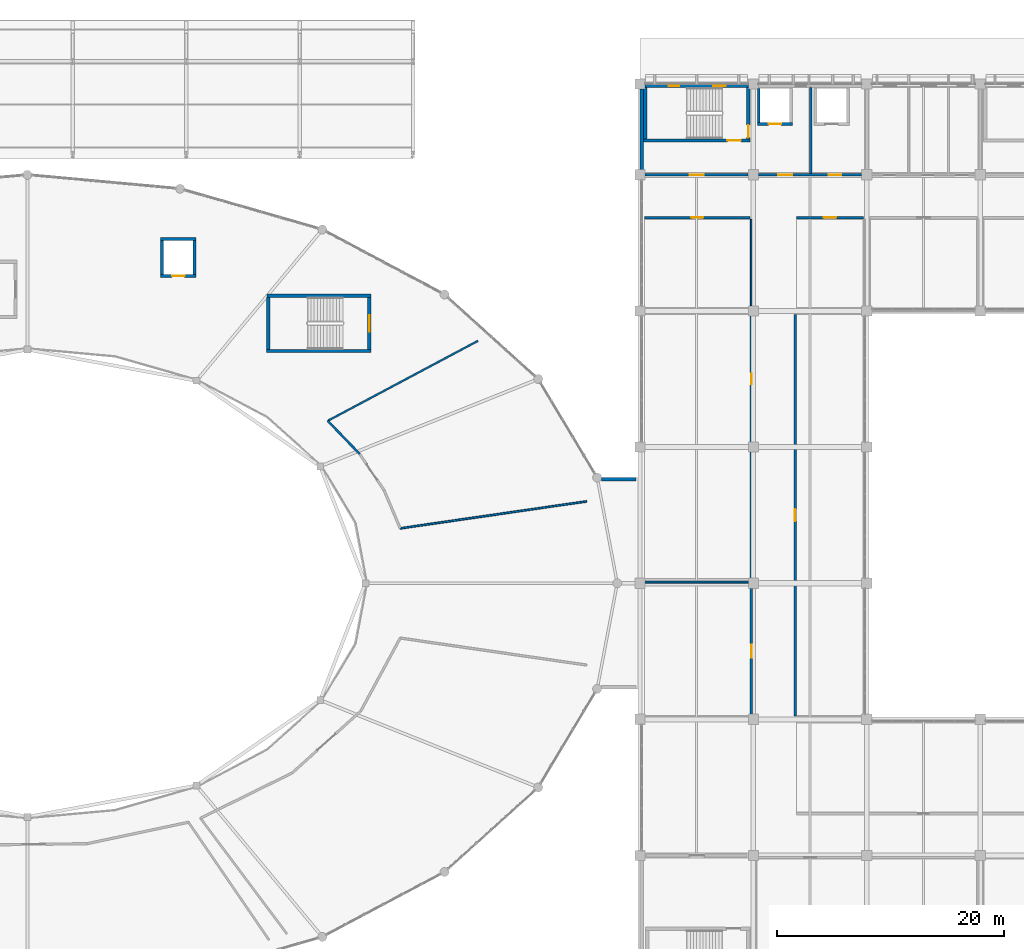
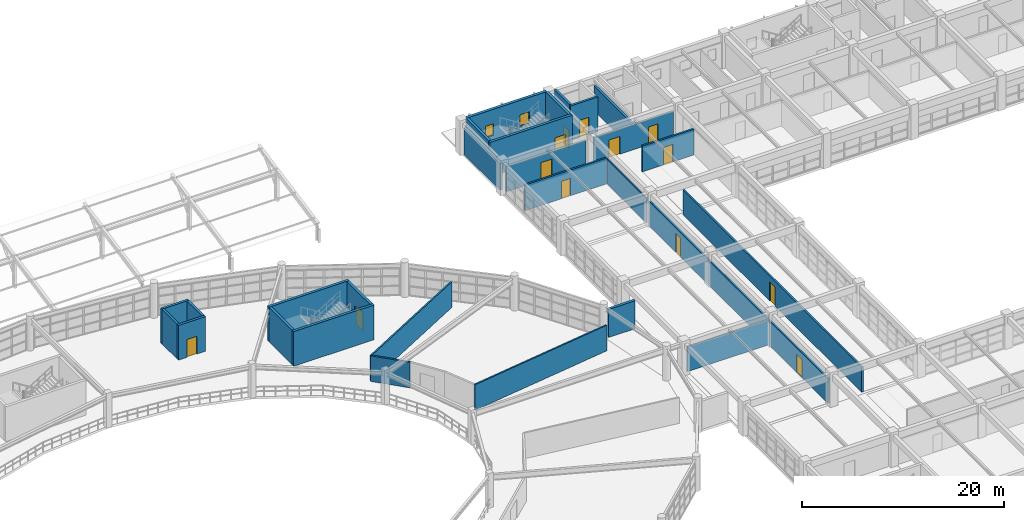
# One storey, part 79 of 100: 29 walls, 13 doors, 2 windows, 15 openings.
"""IFC4 building model written with IfcOpenShell, lengths in metres."""

from ifc_helpers import new_model, si_unit, direction, frame, frame_2d, origin, place, context, subcontext, project, spatial, rectangle, extrude, material, layer, layer_set, type_object, element, fill, save


model = new_model("IFC4")

# Units and contexts
model_context = context("Model", 3, precision=1e-05, world=origin(), true_north=direction((0.0, 1.0)))
body_context = subcontext(model_context, "Body", "Model", "MODEL_VIEW")
ifc_project = project(units=[si_unit("LENGTHUNIT", "METRE"), si_unit("AREAUNIT", "SQUARE_METRE"), si_unit("VOLUMEUNIT", "CUBIC_METRE"), si_unit("PLANEANGLEUNIT", "RADIAN"), si_unit("MASSUNIT", "GRAM", prefix="KILO")], contexts=[model_context])

# Site, building, storey
site_placement = place(None, origin())
site = spatial("IfcSite", under=ifc_project, at=site_placement, CompositionType="ELEMENT")
building_placement = place(site_placement, origin())
building = spatial("IfcBuilding", under=site, at=building_placement, Name="Kivolera Central Railway Station", CompositionType="ELEMENT")
storey_placement = place(building_placement, frame((0.0, 0.0, 5.39990234375)))
storey = spatial("IfcBuildingStorey", under=building, at=storey_placement, Name="L01", CompositionType="ELEMENT", Elevation=5.39990234375)

# Wall
ifc_material_1 = material(Name="Swahili coral limestone", Category="masonry")
ifc_layer_1 = layer(ifc_material_1, 0.199951171875, Name="Swahili coral limestone")
ifc_layer_set_1 = layer_set([ifc_layer_1], Name="Swahili coral limestone")
wall_type_1 = type_object("IfcWallType", Name="WL-COR-200", PredefinedType="PARTITIONING", material=ifc_layer_set_1)
wall_1_placement = place(storey_placement, frame((93.2919921875, 101.389892578125, 0.0), z_axis=(0.0, 0.0, 1.0), x_axis=(-0.693535335124, 0.720422611343, 0.0)))
element("IfcWall", 1, at=wall_1_placement, inside=storey, type_object=wall_type_1, Name="L01 Concourse Departure Book and Craft Retail Shop Gallery Wall 3", PredefinedType="PARTITIONING", context=body_context, shape_type="SweptSolid", body=[
    extrude(rectangle(XDim=4.058837890625, YDim=0.199951171875, at=frame_2d((2.029296875, 0.0))), origin(), (0.0, 0.0, 1.0), 3.10009765625),
])

# Wall, opening, door
wall_2_placement = place(storey_placement, frame((118.39990234375, 122.219970703125, 0.0), z_axis=(0.0, 0.0, 1.0), x_axis=(1.0, 0.0, 0.0)))
wall_2 = element("IfcWall", 2, at=wall_2_placement, inside=storey, type_object=wall_type_1, Name="L01 Mezzanine Travel Outfitters Retail Shop Corridor Wall", PredefinedType="PARTITIONING", context=body_context, shape_type="SweptSolid", body=[
    extrude(rectangle(XDim=9.300048828125, YDim=0.199951171875, at=frame_2d((4.64990234375, 0.0))), origin(), (0.0, 0.0, 1.0), 3.1181640625),
])
opening_1_placement = place(wall_2_placement, frame((4.125, 0.0, 0.0)))
opening_1 = element("IfcOpeningElement", 3, at=opening_1_placement, cuts=wall_2, Name="Opening D-SG-04", PredefinedType="OPENING", context=body_context, shape_type="SweptSolid", body=[
    extrude(rectangle(XDim=1.050048828125, YDim=2.10009765625, at=frame_2d((0.52490234375, 1.050048828125))), frame((0.0, 0.10986328125, 0.0), z_axis=(0.0, -1.0, 0.0), x_axis=(1.0, 0.0, 0.0)), (0.0, 0.0, 1.0), 0.219970703125),
])
ifc_material_2 = material(Name="Hardwood mvule timber", Category="wood")
door_type_1 = type_object("IfcDoorType", Name="DR-D-SG-04", OperationType="NOTDEFINED", PredefinedType="DOOR", material=ifc_material_2)
door_1_placement = place(opening_1_placement, origin())
door_1 = element("IfcDoor", 4, at=door_1_placement, inside=storey, type_object=door_type_1, Name="L01 Mezzanine Travel Outfitters Retail Shop Door", OperationType="SINGLE_SWING_LEFT", OverallHeight=2.10009765625, OverallWidth=1.050048828125, PredefinedType="DOOR", context=body_context, shape_type="SweptSolid", body=[
    extrude(rectangle(XDim=1.050048828125, YDim=2.10009765625, at=frame_2d((0.52490234375, 1.050048828125))), frame((0.0, 0.02490234375, 0.0), z_axis=(0.0, -1.0, 0.0), x_axis=(1.0, 0.0, 0.0)), (0.0, 0.0, 1.0), 0.050048828125),
])
fill(opening_1, door_1)

wall_3_placement = place(storey_placement, frame((131.800048828125, 122.219970703125, 0.0), z_axis=(0.0, 0.0, 1.0), x_axis=(1.0, 0.0, 0.0)))
wall_3 = element("IfcWall", 5, at=wall_3_placement, inside=storey, type_object=wall_type_1, Name="L01 Railway Souvenir Kiosk Shop Corridor Wall", PredefinedType="PARTITIONING", context=body_context, shape_type="SweptSolid", body=[
    extrude(rectangle(XDim=5.89990234375, YDim=0.199951171875, at=frame_2d((2.949951171875, 0.0))), origin(), (0.0, 0.0, 1.0), 3.1181640625),
])
opening_2_placement = place(wall_3_placement, frame((2.39990234375, 0.0, 0.0)))
opening_2 = element("IfcOpeningElement", 6, at=opening_2_placement, cuts=wall_3, Name="Opening D-SG-05", PredefinedType="OPENING", context=body_context, shape_type="SweptSolid", body=[
    extrude(rectangle(XDim=1.10009765625, YDim=2.10009765625, at=frame_2d((0.550048828125, 1.050048828125))), frame((0.0, 0.10986328125, 0.0), z_axis=(0.0, -1.0, 0.0), x_axis=(1.0, 0.0, 0.0)), (0.0, 0.0, 1.0), 0.219970703125),
])
door_type_2 = type_object("IfcDoorType", Name="DR-D-SG-05", OperationType="NOTDEFINED", PredefinedType="DOOR", material=ifc_material_2)
door_2_placement = place(opening_2_placement, origin())
door_2 = element("IfcDoor", 7, at=door_2_placement, inside=storey, type_object=door_type_2, Name="L01 Railway Souvenir Kiosk Shop Door", OperationType="SINGLE_SWING_RIGHT", OverallHeight=2.10009765625, OverallWidth=1.10009765625, PredefinedType="DOOR", context=body_context, shape_type="SweptSolid", body=[
    extrude(rectangle(XDim=1.10009765625, YDim=2.10009765625, at=frame_2d((0.550048828125, 1.050048828125))), frame((0.0, 0.02490234375, 0.0), z_axis=(0.0, -1.0, 0.0), x_axis=(1.0, 0.0, 0.0)), (0.0, 0.0, 1.0), 0.050048828125),
])
fill(opening_2, door_2)

wall_4_placement = place(storey_placement, frame((127.820068359375, 78.300048828125, 0.0), z_axis=(0.0, 0.0, 1.0), x_axis=(0.0, 1.0, 0.0)))
wall_4 = element("IfcWall", 8, at=wall_4_placement, inside=storey, type_object=wall_type_1, Name="L01 Revenue Accounting and Fare Audit Office Corridor Wall", PredefinedType="PARTITIONING", context=body_context, shape_type="SweptSolid", body=[
    extrude(rectangle(XDim=11.699951171875, YDim=0.199951171875, at=frame_2d((5.85009765625, 0.0))), origin(), (0.0, 0.0, 1.0), 3.01806640625),
])
opening_3_placement = place(wall_4_placement, frame((5.125, 0.0, 0.0)))
opening_3 = element("IfcOpeningElement", 9, at=opening_3_placement, cuts=wall_4, Name="Opening D-SG-12", PredefinedType="OPENING", context=body_context, shape_type="SweptSolid", body=[
    extrude(rectangle(XDim=1.14990234375, YDim=2.199951171875, at=frame_2d((0.574951171875, 1.10009765625))), frame((0.0, 0.10986328125, 0.0), z_axis=(0.0, -1.0, 0.0), x_axis=(1.0, 0.0, 0.0)), (0.0, 0.0, 1.0), 0.219970703125),
])
door_type_3 = type_object("IfcDoorType", Name="DR-D-SG-12", OperationType="NOTDEFINED", PredefinedType="DOOR", material=ifc_material_2)
door_3_placement = place(opening_3_placement, origin())
door_3 = element("IfcDoor", 10, at=door_3_placement, inside=storey, type_object=door_type_3, Name="L01 Revenue Accounting and Fare Audit Office Door", OperationType="SINGLE_SWING_LEFT", OverallHeight=2.199951171875, OverallWidth=1.14990234375, PredefinedType="DOOR", context=body_context, shape_type="SweptSolid", body=[
    extrude(rectangle(XDim=1.14990234375, YDim=2.199951171875, at=frame_2d((0.574951171875, 1.10009765625))), frame((0.0, 0.02490234375, 0.0), z_axis=(0.0, -1.0, 0.0), x_axis=(1.0, 0.0, 0.0)), (0.0, 0.0, 1.0), 0.050048828125),
])
fill(opening_3, door_3)

wall_5_placement = place(storey_placement, frame((127.820068359375, 90.39990234375, 0.0), z_axis=(0.0, 0.0, 1.0), x_axis=(0.0, 1.0, 0.0)))
wall_5 = element("IfcWall", 11, at=wall_5_placement, inside=storey, type_object=wall_type_1, Name="L01 Ticketing Systems Support Office Corridor Wall", PredefinedType="PARTITIONING", context=body_context, shape_type="SweptSolid", body=[
    extrude(rectangle(XDim=23.300048828125, YDim=0.199951171875, at=frame_2d((11.64990234375, 0.0))), origin(), (0.0, 0.0, 1.0), 3.01806640625),
])
opening_4_placement = place(wall_5_placement, frame((17.125, 0.0, 0.0)))
opening_4 = element("IfcOpeningElement", 12, at=opening_4_placement, cuts=wall_5, Name="Opening D-SG-13", PredefinedType="OPENING", context=body_context, shape_type="SweptSolid", body=[
    extrude(rectangle(XDim=0.949951171875, YDim=2.300048828125, at=frame_2d((0.47509765625, 1.14990234375))), frame((0.0, 0.10986328125, 0.0), z_axis=(0.0, -1.0, 0.0), x_axis=(1.0, 0.0, 0.0)), (0.0, 0.0, 1.0), 0.219970703125),
])
door_type_4 = type_object("IfcDoorType", Name="DR-D-SG-13", OperationType="NOTDEFINED", PredefinedType="DOOR", material=ifc_material_2)
door_4_placement = place(opening_4_placement, origin())
door_4 = element("IfcDoor", 13, at=door_4_placement, inside=storey, type_object=door_type_4, Name="L01 Ticketing Systems Support Office Door", OperationType="SINGLE_SWING_RIGHT", OverallHeight=2.300048828125, OverallWidth=0.949951171875, PredefinedType="DOOR", context=body_context, shape_type="SweptSolid", body=[
    extrude(rectangle(XDim=0.949951171875, YDim=2.300048828125, at=frame_2d((0.47509765625, 1.14990234375))), frame((0.0, 0.02490234375, 0.0), z_axis=(0.0, -1.0, 0.0), x_axis=(1.0, 0.0, 0.0)), (0.0, 0.0, 1.0), 0.050048828125),
])
fill(opening_4, door_4)

wall_6_placement = place(storey_placement, frame((131.679931640625, 78.300048828125, 0.0), z_axis=(0.0, 0.0, 1.0), x_axis=(0.0, 1.0, 0.0)))
wall_6 = element("IfcWall", 14, at=wall_6_placement, inside=storey, type_object=wall_type_1, Name="L01 Monsoon Overlook Tea Cafe Corridor Wall", PredefinedType="PARTITIONING", context=body_context, shape_type="SweptSolid", body=[
    extrude(rectangle(XDim=35.39990234375, YDim=0.199951171875, at=frame_2d((17.699951171875, 0.0))), origin(), (0.0, 0.0, 1.0), 3.01806640625),
])
opening_5_placement = place(wall_6_placement, frame((17.175048828125, 0.0, 0.0)))
opening_5 = element("IfcOpeningElement", 15, at=opening_5_placement, cuts=wall_6, Name="Opening D-SG-14", PredefinedType="OPENING", context=body_context, shape_type="SweptSolid", body=[
    extrude(rectangle(XDim=1.050048828125, YDim=2.300048828125, at=frame_2d((0.52490234375, 1.14990234375))), frame((0.0, 0.10986328125, 0.0), z_axis=(0.0, -1.0, 0.0), x_axis=(1.0, 0.0, 0.0)), (0.0, 0.0, 1.0), 0.219970703125),
])
door_type_5 = type_object("IfcDoorType", Name="DR-D-SG-14", OperationType="NOTDEFINED", PredefinedType="DOOR", material=ifc_material_2)
door_5_placement = place(opening_5_placement, origin())
door_5 = element("IfcDoor", 16, at=door_5_placement, inside=storey, type_object=door_type_5, Name="L01 Monsoon Overlook Tea Cafe Door", OperationType="SINGLE_SWING_LEFT", OverallHeight=2.300048828125, OverallWidth=1.050048828125, PredefinedType="DOOR", context=body_context, shape_type="SweptSolid", body=[
    extrude(rectangle(XDim=1.050048828125, YDim=2.300048828125, at=frame_2d((0.52490234375, 1.14990234375))), frame((0.0, 0.02490234375, 0.0), z_axis=(0.0, -1.0, 0.0), x_axis=(1.0, 0.0, 0.0)), (0.0, 0.0, 1.0), 0.050048828125),
])
fill(opening_5, door_5)

ifc_material_3 = material(Name="Concrete C40/50", Category="concrete")
ifc_layer_2 = layer(ifc_material_3, 0.300048828125, Name="Concrete C40/50")
ifc_layer_set_2 = layer_set([ifc_layer_2], Name="Concrete C40/50")
wall_type_2 = type_object("IfcWallType", Name="WL-CORE-300", PredefinedType="SHEAR", material=ifc_layer_set_2)
wall_7_placement = place(storey_placement, frame((127.699951171875, 129.030029296875, 0.0), z_axis=(0.0, 0.0, 1.0), x_axis=(-1.0, 0.0, 0.0)))
wall_7 = element("IfcWall", 17, at=wall_7_placement, inside=storey, type_object=wall_type_2, Name="L01 ST1 Core Right Shear Wall", PredefinedType="SHEAR", context=body_context, shape_type="SweptSolid", body=[
    extrude(rectangle(XDim=9.39990234375, YDim=0.300048828125, at=frame_2d((4.699951171875, 0.0))), origin(), (0.0, 0.0, 1.0), 4.2001953125),
])
opening_6_placement = place(wall_7_placement, frame((0.800048828125, 0.0, 0.0)))
opening_6 = element("IfcOpeningElement", 18, at=opening_6_placement, cuts=wall_7, Name="Opening D-STAIR-1200", PredefinedType="OPENING", context=body_context, shape_type="SweptSolid", body=[
    extrude(rectangle(XDim=1.199951171875, YDim=2.14990234375, at=frame_2d((0.60009765625, 1.074951171875))), frame((0.0, 0.159912109375, 0.0), z_axis=(0.0, -1.0, 0.0), x_axis=(1.0, 0.0, 0.0)), (0.0, 0.0, 1.0), 0.320068359375),
])
door_type_6 = type_object("IfcDoorType", Name="DR-D-STAIR-1200", OperationType="NOTDEFINED", PredefinedType="DOOR", material=ifc_material_2)
door_6_placement = place(opening_6_placement, origin())
door_6 = element("IfcDoor", 19, at=door_6_placement, inside=storey, type_object=door_type_6, Name="L01 ST1 Vestibule Fire Door", OperationType="SINGLE_SWING_LEFT", OverallHeight=2.14990234375, OverallWidth=1.199951171875, PredefinedType="DOOR", context=body_context, shape_type="SweptSolid", body=[
    extrude(rectangle(XDim=1.199951171875, YDim=2.14990234375, at=frame_2d((0.60009765625, 1.074951171875))), frame((0.0, 0.02490234375, 0.0), z_axis=(0.0, -1.0, 0.0), x_axis=(1.0, 0.0, 0.0)), (0.0, 0.0, 1.0), 0.050048828125),
])
fill(opening_6, door_6)

wall_8_placement = place(storey_placement, frame((127.550048828125, 133.679931640625, 0.0), z_axis=(0.0, 0.0, 1.0), x_axis=(0.0, -1.0, 0.0)))
wall_8 = element("IfcWall", 20, at=wall_8_placement, inside=storey, type_object=wall_type_2, Name="L01 ST1 Core Near Shear Wall", PredefinedType="SHEAR", context=body_context, shape_type="SweptSolid", body=[
    extrude(rectangle(XDim=4.5, YDim=0.300048828125, at=frame_2d((2.25, 0.0))), origin(), (0.0, 0.0, 1.0), 4.2001953125),
])
opening_7_placement = place(wall_8_placement, frame((3.300048828125, 0.0, 0.0)))
opening_7 = element("IfcOpeningElement", 21, at=opening_7_placement, cuts=wall_8, Name="Opening D-FFL-1100", PredefinedType="OPENING", context=body_context, shape_type="SweptSolid", body=[
    extrude(rectangle(XDim=1.10009765625, YDim=2.14990234375, at=frame_2d((0.550048828125, 1.074951171875))), frame((0.0, 0.159912109375, 0.0), z_axis=(0.0, -1.0, 0.0), x_axis=(1.0, 0.0, 0.0)), (0.0, 0.0, 1.0), 0.320068359375),
])
door_type_7 = type_object("IfcDoorType", Name="DR-D-FFL-1100", OperationType="NOTDEFINED", PredefinedType="DOOR", material=ifc_material_2)
door_7_placement = place(opening_7_placement, origin())
door_7 = element("IfcDoor", 22, at=door_7_placement, inside=storey, type_object=door_type_7, Name="L01 Firefighting Lobby to ST1 Fire Door", OperationType="SINGLE_SWING_RIGHT", OverallHeight=2.14990234375, OverallWidth=1.10009765625, PredefinedType="DOOR", context=body_context, shape_type="SweptSolid", body=[
    extrude(rectangle(XDim=1.10009765625, YDim=2.14990234375, at=frame_2d((0.550048828125, 1.074951171875))), frame((0.0, 0.02490234375, 0.0), z_axis=(0.0, -1.0, 0.0), x_axis=(1.0, 0.0, 0.0)), (0.0, 0.0, 1.0), 0.050048828125),
])
fill(opening_7, door_7)

# Walls
wall_9_placement = place(storey_placement, frame((118.449951171875, 129.179931640625, 0.0), z_axis=(0.0, 0.0, 1.0), x_axis=(0.0, 1.0, 0.0)))
element("IfcWall", 23, at=wall_9_placement, inside=storey, type_object=wall_type_2, Name="L01 ST1 Core Far Shear Wall", PredefinedType="SHEAR", context=body_context, shape_type="SweptSolid", body=[
    extrude(rectangle(XDim=4.5, YDim=0.300048828125, at=frame_2d((2.25, 0.0))), origin(), (0.0, 0.0, 1.0), 4.2001953125),
])
for number, where, z_axis, x_axis, name in (
    (24, (94.300048828125, 110.469970703125, 0.0), (0.0, 0.0, 1.0), (-1.0, 0.0, 0.0), "L01 ST7 Core Right Shear Wall"),
    (25, (85.10009765625, 115.35009765625, 0.0), (0.0, 0.0, 1.0), (1.0, 0.0, 0.0), "L01 ST7 Core Left Shear Wall"),
):
    element("IfcWall", number, at=place(storey_placement, frame(where, z_axis=z_axis, x_axis=x_axis)), inside=storey, type_object=wall_type_2, Name=name, PredefinedType="SHEAR", context=body_context, shape_type="SweptSolid", body=[
        extrude(rectangle(XDim=9.199951171875, YDim=0.300048828125, at=frame_2d((4.60009765625, 0.0))), origin(), (0.0, 0.0, 1.0), 4.2001953125),
    ])

# Wall, opening, door
wall_10_placement = place(storey_placement, frame((94.14990234375, 115.199951171875, 0.0), z_axis=(0.0, 0.0, 1.0), x_axis=(0.0, -1.0, 0.0)))
wall_10 = element("IfcWall", 26, at=wall_10_placement, inside=storey, type_object=wall_type_2, Name="L01 ST7 Core Near Shear Wall", PredefinedType="SHEAR", context=body_context, shape_type="SweptSolid", body=[
    extrude(rectangle(XDim=4.579833984375, YDim=0.300048828125, at=frame_2d((2.2900390625, 0.0))), origin(), (0.0, 0.0, 1.0), 4.2001953125),
])
opening_8_placement = place(wall_10_placement, frame((1.56494140625, 0.0, 0.0)))
opening_8 = element("IfcOpeningElement", 27, at=opening_8_placement, cuts=wall_10, Name="Opening D-STAIR-1450", PredefinedType="OPENING", context=body_context, shape_type="SweptSolid", body=[
    extrude(rectangle(XDim=1.449951171875, YDim=2.199951171875, at=frame_2d((0.72509765625, 1.10009765625))), frame((0.0, 0.159912109375, 0.0), z_axis=(0.0, -1.0, 0.0), x_axis=(1.0, 0.0, 0.0)), (0.0, 0.0, 1.0), 0.320068359375),
])
door_type_8 = type_object("IfcDoorType", Name="DR-D-STAIR-1450", OperationType="NOTDEFINED", PredefinedType="DOOR", material=ifc_material_2)
door_8_placement = place(opening_8_placement, origin())
door_8 = element("IfcDoor", 28, at=door_8_placement, inside=storey, type_object=door_type_8, Name="L01 ST7 Concourse/Platform Stair Fire Door", OperationType="SINGLE_SWING_RIGHT", OverallHeight=2.199951171875, OverallWidth=1.449951171875, PredefinedType="DOOR", context=body_context, shape_type="SweptSolid", body=[
    extrude(rectangle(XDim=1.449951171875, YDim=2.199951171875, at=frame_2d((0.72509765625, 1.10009765625))), frame((0.0, 0.02490234375, 0.0), z_axis=(0.0, -1.0, 0.0), x_axis=(1.0, 0.0, 0.0)), (0.0, 0.0, 1.0), 0.050048828125),
])
fill(opening_8, door_8)

# Wall
wall_11_placement = place(storey_placement, frame((85.25, 110.6201171875, 0.0), z_axis=(0.0, 0.0, 1.0), x_axis=(0.0, 1.0, 0.0)))
element("IfcWall", 29, at=wall_11_placement, inside=storey, type_object=wall_type_2, Name="L01 ST7 Core Far Shear Wall", PredefinedType="SHEAR", context=body_context, shape_type="SweptSolid", body=[
    extrude(rectangle(XDim=4.579833984375, YDim=0.300048828125, at=frame_2d((2.2900390625, 0.0))), origin(), (0.0, 0.0, 1.0), 4.2001953125),
])

# Wall, openings, windows
ifc_layer_3 = layer(ifc_material_3, 0.320068359375, Name="Concrete C40/50")
ifc_layer_set_3 = layer_set([ifc_layer_3], Name="Concrete C40/50")
wall_type_3 = type_object("IfcWallType", Name="WL-CORE-EXT-320", PredefinedType="SHEAR", material=ifc_layer_set_3)
wall_12_placement = place(storey_placement, frame((118.445068359375, 133.840087890625, 0.0), z_axis=(0.0, 0.0, 1.0), x_axis=(1.0, 0.0, 0.0)))
wall_12 = element("IfcWall", 30, at=wall_12_placement, inside=storey, type_object=wall_type_3, Name="L01 North Street Facade Wall Bay 1", PredefinedType="SHEAR", context=body_context, shape_type="SweptSolid", body=[
    extrude(rectangle(XDim=9.10986328125, YDim=0.320068359375, at=frame_2d((4.554931640625, 0.0))), origin(), (0.0, 0.0, 1.0), 4.2001953125),
])
opening_9_placement = place(wall_12_placement, frame((2.10498046875, 0.0, 1.050048828125)))
opening_9 = element("IfcOpeningElement", 31, at=opening_9_placement, cuts=wall_12, Name="Opening WN-13", PredefinedType="OPENING", context=body_context, shape_type="SweptSolid", body=[
    extrude(rectangle(XDim=0.89990234375, YDim=1.39990234375, at=frame_2d((0.449951171875, 0.699951171875))), frame((0.0, 0.169921875, 0.0), z_axis=(0.0, -1.0, 0.0), x_axis=(1.0, 0.0, 0.0)), (0.0, 0.0, 1.0), 0.340087890625),
])
opening_10_placement = place(wall_12_placement, frame((6.0048828125, 0.0, 1.050048828125)))
opening_10 = element("IfcOpeningElement", 32, at=opening_10_placement, cuts=wall_12, Name="Opening WN-14", PredefinedType="OPENING", context=body_context, shape_type="SweptSolid", body=[
    extrude(rectangle(XDim=1.10009765625, YDim=1.39990234375, at=frame_2d((0.550048828125, 0.699951171875))), frame((0.0, 0.169921875, 0.0), z_axis=(0.0, -1.0, 0.0), x_axis=(1.0, 0.0, 0.0)), (0.0, 0.0, 1.0), 0.340087890625),
])
ifc_material_4 = material(Name="Double low-E laminated glass", Category="glass")
window_type_1 = type_object("IfcWindowType", Name="WIN-WN-13", PartitioningType="SINGLE_PANEL", PredefinedType="WINDOW", material=ifc_material_4)
window_1_placement = place(opening_9_placement, origin())
window_1 = element("IfcWindow", 33, at=window_1_placement, inside=storey, type_object=window_type_1, Name="L01 North Street Window Bay 1.1", OverallHeight=1.39990234375, OverallWidth=0.89990234375, PartitioningType="SINGLE_PANEL", PredefinedType="WINDOW", context=body_context, shape_type="SweptSolid", body=[
    extrude(rectangle(XDim=0.89990234375, YDim=1.39990234375, at=frame_2d((0.449951171875, 0.699951171875))), frame((0.0, 0.030029296875, 0.0), z_axis=(0.0, -1.0, 0.0), x_axis=(1.0, 0.0, 0.0)), (0.0, 0.0, 1.0), 0.06005859375),
])
fill(opening_9, window_1)
window_type_2 = type_object("IfcWindowType", Name="WIN-WN-14", PartitioningType="SINGLE_PANEL", PredefinedType="WINDOW", material=ifc_material_4)
window_2_placement = place(opening_10_placement, origin())
window_2 = element("IfcWindow", 34, at=window_2_placement, inside=storey, type_object=window_type_2, Name="L01 North Street Window Bay 1.2", OverallHeight=1.39990234375, OverallWidth=1.10009765625, PartitioningType="SINGLE_PANEL", PredefinedType="WINDOW", context=body_context, shape_type="SweptSolid", body=[
    extrude(rectangle(XDim=1.10009765625, YDim=1.39990234375, at=frame_2d((0.550048828125, 0.699951171875))), frame((0.0, 0.030029296875, 0.0), z_axis=(0.0, -1.0, 0.0), x_axis=(1.0, 0.0, 0.0)), (0.0, 0.0, 1.0), 0.06005859375),
])
fill(opening_10, window_2)

# Walls
ifc_layer_4 = layer(ifc_material_1, 0.2900390625, Name="Swahili coral limestone")
ifc_layer_set_4 = layer_set([ifc_layer_4], Name="Swahili coral limestone")
wall_type_4 = type_object("IfcWallType", Name="WL-EXT-CORAL-290", PredefinedType="SOLIDWALL", material=ifc_layer_set_4)
wall_13_placement = place(storey_placement, frame((114.60791015625, 99.172119140625, 0.0), z_axis=(0.0, 0.0, 1.0), x_axis=(1.0, 0.0, 0.0)))
element("IfcWall", 35, at=wall_13_placement, inside=storey, type_object=wall_type_4, Name="L01 Concourse Link North Closure Wall", PredefinedType="SOLIDWALL", context=body_context, shape_type="SweptSolid", body=[
    extrude(rectangle(XDim=3.0419921875, YDim=0.2900390625, at=frame_2d((1.52099609375, 0.0))), origin(), (0.0, 0.0, 1.0), 3.400146484375),
])
ifc_layer_5 = layer(ifc_material_1, 0.320068359375, Name="Swahili coral limestone")
ifc_layer_set_5 = layer_set([ifc_layer_5], Name="Swahili coral limestone")
wall_type_5 = type_object("IfcWallType", Name="WL-EXT-CORAL-320", PredefinedType="SOLIDWALL", material=ifc_layer_set_5)
wall_14_placement = place(storey_placement, frame((118.159912109375, 126.445068359375, 0.0), z_axis=(0.0, 0.0, 1.0), x_axis=(0.0, 1.0, 0.0)))
element("IfcWall", 36, at=wall_14_placement, inside=storey, type_object=wall_type_5, Name="L01 West Facade Wall L-M", PredefinedType="SOLIDWALL", context=body_context, shape_type="SweptSolid", body=[
    extrude(rectangle(XDim=7.10986328125, YDim=0.320068359375, at=frame_2d((3.554931640625, 0.0))), origin(), (0.0, 0.0, 1.0), 3.218017578125),
])

# Wall, opening, door
ifc_layer_6 = layer(ifc_material_3, 0.25, Name="Concrete C40/50")
ifc_layer_set_6 = layer_set([ifc_layer_6], Name="Concrete C40/50")
wall_type_6 = type_object("IfcWallType", Name="WL-FFL-250", PredefinedType="PARTITIONING", material=ifc_layer_set_6)
wall_15_placement = place(storey_placement, frame((118.455078125, 126.0, 0.0), z_axis=(0.0, 0.0, 1.0), x_axis=(1.0, 0.0, 0.0)))
wall_15 = element("IfcWall", 37, at=wall_15_placement, inside=storey, type_object=wall_type_6, Name="L01 North Core Corridor Wall 118", PredefinedType="PARTITIONING", context=body_context, shape_type="SweptSolid", body=[
    extrude(rectangle(XDim=9.08984375, YDim=0.25, at=frame_2d((4.544921875, 0.0))), origin(), (0.0, 0.0, 1.0), 3.01806640625),
])
opening_11_placement = place(wall_15_placement, frame((3.919921875, 0.0, 0.0)))
opening_11 = element("IfcOpeningElement", 38, at=opening_11_placement, cuts=wall_15, Name="Opening D-FFL-1250", PredefinedType="OPENING", context=body_context, shape_type="SweptSolid", body=[
    extrude(rectangle(XDim=1.25, YDim=2.14990234375, at=frame_2d((0.625, 1.074951171875))), frame((0.0, 0.135009765625, 0.0), z_axis=(0.0, -1.0, 0.0), x_axis=(1.0, 0.0, 0.0)), (0.0, 0.0, 1.0), 0.27001953125),
])
door_type_9 = type_object("IfcDoorType", Name="DR-D-FFL-1250", OperationType="NOTDEFINED", PredefinedType="DOOR", material=ifc_material_2)
door_9_placement = place(opening_11_placement, origin())
door_9 = element("IfcDoor", 39, at=door_9_placement, inside=storey, type_object=door_type_9, Name="L01 ST1 Vestibule Corridor Door", OperationType="SINGLE_SWING_LEFT", OverallHeight=2.14990234375, OverallWidth=1.25, PredefinedType="DOOR", context=body_context, shape_type="SweptSolid", body=[
    extrude(rectangle(XDim=1.25, YDim=2.14990234375, at=frame_2d((0.625, 1.074951171875))), frame((0.0, 0.02490234375, 0.0), z_axis=(0.0, -1.0, 0.0), x_axis=(1.0, 0.0, 0.0)), (0.0, 0.0, 1.0), 0.050048828125),
])
fill(opening_11, door_9)

# Wall, openings, doors
wall_16_placement = place(storey_placement, frame((128.455078125, 126.0, 0.0), z_axis=(0.0, 0.0, 1.0), x_axis=(1.0, 0.0, 0.0)))
wall_16 = element("IfcWall", 40, at=wall_16_placement, inside=storey, type_object=wall_type_6, Name="L01 North Core Corridor Wall 128", PredefinedType="PARTITIONING", context=body_context, shape_type="SweptSolid", body=[
    extrude(rectangle(XDim=9.08984375, YDim=0.25, at=frame_2d((4.544921875, 0.0))), origin(), (0.0, 0.0, 1.0), 3.01806640625),
])
opening_12_placement = place(wall_16_placement, frame((1.719970703125, 0.0, 0.0)))
opening_12 = element("IfcOpeningElement", 41, at=opening_12_placement, cuts=wall_16, Name="Opening D-FFL-1250", PredefinedType="OPENING", context=body_context, shape_type="SweptSolid", body=[
    extrude(rectangle(XDim=1.25, YDim=2.14990234375, at=frame_2d((0.625, 1.074951171875))), frame((0.0, 0.135009765625, 0.0), z_axis=(0.0, -1.0, 0.0), x_axis=(1.0, 0.0, 0.0)), (0.0, 0.0, 1.0), 0.27001953125),
])
opening_13_placement = place(wall_16_placement, frame((6.195068359375, 0.0, 0.0)))
opening_13 = element("IfcOpeningElement", 42, at=opening_13_placement, cuts=wall_16, Name="Opening D-FFL-1100", PredefinedType="OPENING", context=body_context, shape_type="SweptSolid", body=[
    extrude(rectangle(XDim=1.10009765625, YDim=2.14990234375, at=frame_2d((0.550048828125, 1.074951171875))), frame((0.0, 0.135009765625, 0.0), z_axis=(0.0, -1.0, 0.0), x_axis=(1.0, 0.0, 0.0)), (0.0, 0.0, 1.0), 0.27001953125),
])
door_10_placement = place(opening_13_placement, origin())
door_10 = element("IfcDoor", 43, at=door_10_placement, inside=storey, type_object=door_type_7, Name="L01 PL1 Lift Lobby Door", OperationType="SINGLE_SWING_LEFT", OverallHeight=2.14990234375, OverallWidth=1.10009765625, PredefinedType="DOOR", context=body_context, shape_type="SweptSolid", body=[
    extrude(rectangle(XDim=1.10009765625, YDim=2.14990234375, at=frame_2d((0.550048828125, 1.074951171875))), frame((0.0, 0.02490234375, 0.0), z_axis=(0.0, -1.0, 0.0), x_axis=(1.0, 0.0, 0.0)), (0.0, 0.0, 1.0), 0.050048828125),
])
fill(opening_13, door_10)
door_11_placement = place(opening_12_placement, origin())
door_11 = element("IfcDoor", 44, at=door_11_placement, inside=storey, type_object=door_type_9, Name="L01 FL1 Firefighting Lobby Corridor Fire Door", OperationType="SINGLE_SWING_RIGHT", OverallHeight=2.14990234375, OverallWidth=1.25, PredefinedType="DOOR", context=body_context, shape_type="SweptSolid", body=[
    extrude(rectangle(XDim=1.25, YDim=2.14990234375, at=frame_2d((0.625, 1.074951171875))), frame((0.0, 0.02490234375, 0.0), z_axis=(0.0, -1.0, 0.0), x_axis=(1.0, 0.0, 0.0)), (0.0, 0.0, 1.0), 0.050048828125),
])
fill(opening_12, door_11)

# Walls
wall_17_placement = place(storey_placement, frame((133.050048828125, 126.125, 0.0), z_axis=(0.0, 0.0, 1.0), x_axis=(0.0, 1.0, 0.0)))
element("IfcWall", 45, at=wall_17_placement, inside=storey, type_object=wall_type_6, Name="L01 North Core Partition FFL1-DIV", PredefinedType="PARTITIONING", context=body_context, shape_type="SweptSolid", body=[
    extrude(rectangle(XDim=7.554931640625, YDim=0.25, at=frame_2d((3.77734375, 0.0))), origin(), (0.0, 0.0, 1.0), 3.01806640625),
])
ifc_material_5 = material(Name="Gypsum plasterboard steel-stud partition")
ifc_layer_7 = layer(ifc_material_5, 0.135009765625, Name="Gypsum plasterboard steel-stud partition")
ifc_layer_set_7 = layer_set([ifc_layer_7], Name="Gypsum plasterboard steel-stud partition")
wall_type_7 = type_object("IfcWallType", Name="WL-PRT-135", PredefinedType="PARTITIONING", material=ifc_layer_set_7)
wall_18_placement = place(storey_placement, frame((127.800048828125, 114.300048828125, 0.0), z_axis=(0.0, 0.0, 1.0), x_axis=(0.0, 1.0, 0.0)))
element("IfcWall", 46, at=wall_18_placement, inside=storey, type_object=wall_type_7, Name="L01 Mezzanine Travel Outfitters Retail Shop Partition Wall", PredefinedType="PARTITIONING", context=body_context, shape_type="SweptSolid", body=[
    extrude(rectangle(XDim=7.800048828125, YDim=0.135009765625, at=frame_2d((3.89990234375, 0.0))), origin(), (0.0, 0.0, 1.0), 3.01806640625),
])
ifc_layer_8 = layer(ifc_material_5, 0.1650390625, Name="Gypsum plasterboard steel-stud partition")
ifc_layer_set_8 = layer_set([ifc_layer_8], Name="Gypsum plasterboard steel-stud partition")
wall_type_8 = type_object("IfcWallType", Name="WL-PRT-165", PredefinedType="PARTITIONING", material=ifc_layer_set_8)
wall_19_placement = place(storey_placement, frame((96.865966796875, 94.833984375, 0.0), z_axis=(0.0, 0.0, 1.0), x_axis=(0.989664923878, 0.143399227493, 0.0)))
element("IfcWall", 47, at=wall_19_placement, inside=storey, type_object=wall_type_8, Name="L01 Concourse Departure Book and Craft Retail Shop Radial Partition R0", PredefinedType="PARTITIONING", context=body_context, shape_type="SweptSolid", body=[
    extrude(rectangle(XDim=16.604736328125, YDim=0.1650390625, at=frame_2d((8.30224609375, 0.0))), origin(), (0.0, 0.0, 1.0), 3.10009765625),
])
wall_20_placement = place(storey_placement, frame((90.47705078125, 104.31396484375, 0.0), z_axis=(0.0, 0.0, 1.0), x_axis=(0.882677604154, 0.469978985833, 0.0)))
element("IfcWall", 48, at=wall_20_placement, inside=storey, type_object=wall_type_8, Name="L01 Concourse Departure Book and Craft Retail Shop Radial Partition R1", PredefinedType="PARTITIONING", context=body_context, shape_type="SweptSolid", body=[
    extrude(rectangle(XDim=14.998779296875, YDim=0.1650390625, at=frame_2d((7.49951171875, 0.0))), origin(), (0.0, 0.0, 1.0), 3.10009765625),
])
wall_21_placement = place(storey_placement, frame((118.39990234375, 90.10009765625, 0.0), z_axis=(0.0, 0.0, 1.0), x_axis=(1.0, 0.0, 0.0)))
element("IfcWall", 49, at=wall_21_placement, inside=storey, type_object=wall_type_8, Name="L01 Revenue Accounting and Fare Audit Office Partition Wall", PredefinedType="PARTITIONING", context=body_context, shape_type="SweptSolid", body=[
    extrude(rectangle(XDim=9.300048828125, YDim=0.1650390625, at=frame_2d((4.64990234375, 0.0))), origin(), (0.0, 0.0, 1.0), 3.01806640625),
])

# Wall, opening, door
ifc_layer_9 = layer(ifc_material_3, 0.260009765625, Name="Concrete C40/50")
ifc_layer_set_9 = layer_set([ifc_layer_9], Name="Concrete C40/50")
wall_type_9 = type_object("IfcWallType", Name="WL-SHAFT-260", PredefinedType="SHEAR", material=ifc_layer_set_9)
wall_22_placement = place(storey_placement, frame((128.340087890625, 130.469970703125, 0.0), z_axis=(0.0, 0.0, 1.0), x_axis=(1.0, 0.0, 0.0)))
wall_22 = element("IfcWall", 50, at=wall_22_placement, inside=storey, type_object=wall_type_9, Name="L01 Lift FL1 Front Shaft Wall", PredefinedType="SHEAR", context=body_context, shape_type="SweptSolid", body=[
    extrude(rectangle(XDim=3.119873046875, YDim=0.260009765625, at=frame_2d((1.56005859375, 0.0))), origin(), (0.0, 0.0, 1.0), 4.2001953125),
])
opening_14_placement = place(wall_22_placement, frame((1.010009765625, 0.0, 0.0)))
opening_14 = element("IfcOpeningElement", 51, at=opening_14_placement, cuts=wall_22, Name="Opening LD-FFL-1100", PredefinedType="OPENING", context=body_context, shape_type="SweptSolid", body=[
    extrude(rectangle(XDim=1.10009765625, YDim=2.10009765625, at=frame_2d((0.550048828125, 1.050048828125))), frame((0.0, 0.139892578125, 0.0), z_axis=(0.0, -1.0, 0.0), x_axis=(1.0, 0.0, 0.0)), (0.0, 0.0, 1.0), 0.280029296875),
])
ifc_material_6 = material(Name="Anodised aluminium", Category="aluminium")
door_type_10 = type_object("IfcDoorType", Name="DR-LD-FFL-1100", OperationType="NOTDEFINED", PredefinedType="DOOR", material=ifc_material_6)
door_12_placement = place(opening_14_placement, origin())
door_12 = element("IfcDoor", 52, at=door_12_placement, inside=storey, type_object=door_type_10, Name="L01 Lift FL1 Sliding Landing Door", OperationType="SLIDING_TO_LEFT", OverallHeight=2.10009765625, OverallWidth=1.10009765625, PredefinedType="DOOR", context=body_context, shape_type="SweptSolid", body=[
    extrude(rectangle(XDim=1.10009765625, YDim=2.10009765625, at=frame_2d((0.550048828125, 1.050048828125))), frame((0.0, 0.02490234375, 0.0), z_axis=(0.0, -1.0, 0.0), x_axis=(1.0, 0.0, 0.0)), (0.0, 0.0, 1.0), 0.050048828125),
])
fill(opening_14, door_12)

# Wall
wall_23_placement = place(storey_placement, frame((128.469970703125, 130.60009765625, 0.0), z_axis=(0.0, 0.0, 1.0), x_axis=(0.0, 1.0, 0.0)))
element("IfcWall", 53, at=wall_23_placement, inside=storey, type_object=wall_type_9, Name="L01 Lift FL1 West Shaft Wall", PredefinedType="SHEAR", context=body_context, shape_type="SweptSolid", body=[
    extrude(rectangle(XDim=3.0, YDim=0.260009765625, at=frame_2d((1.5, 0.0))), origin(), (0.0, 0.0, 1.0), 4.2001953125),
])

# Wall, opening, door
wall_24_placement = place(storey_placement, frame((75.739990234375, 117.070068359375, 0.0), z_axis=(0.0, 0.0, 1.0), x_axis=(1.0, 0.0, 0.0)))
wall_24 = element("IfcWall", 54, at=wall_24_placement, inside=storey, type_object=wall_type_9, Name="L01 Lift PL3 Front Shaft Wall", PredefinedType="SHEAR", context=body_context, shape_type="SweptSolid", body=[
    extrude(rectangle(XDim=3.1201171875, YDim=0.260009765625, at=frame_2d((1.56005859375, 0.0))), origin(), (0.0, 0.0, 1.0), 4.2001953125),
])
opening_15_placement = place(wall_24_placement, frame((1.010009765625, 0.0, 0.0)))
opening_15 = element("IfcOpeningElement", 55, at=opening_15_placement, cuts=wall_24, Name="Opening LD-PAX-1100", PredefinedType="OPENING", context=body_context, shape_type="SweptSolid", body=[
    extrude(rectangle(XDim=1.10009765625, YDim=2.14990234375, at=frame_2d((0.550048828125, 1.074951171875))), frame((0.0, 0.139892578125, 0.0), z_axis=(0.0, -1.0, 0.0), x_axis=(1.0, 0.0, 0.0)), (0.0, 0.0, 1.0), 0.280029296875),
])
door_type_11 = type_object("IfcDoorType", Name="DR-LD-PAX-1100", OperationType="NOTDEFINED", PredefinedType="DOOR", material=ifc_material_6)
door_13_placement = place(opening_15_placement, origin())
door_13 = element("IfcDoor", 56, at=door_13_placement, inside=storey, type_object=door_type_11, Name="L01 Lift PL3 Sliding Landing Door", OperationType="SLIDING_TO_LEFT", OverallHeight=2.14990234375, OverallWidth=1.10009765625, PredefinedType="DOOR", context=body_context, shape_type="SweptSolid", body=[
    extrude(rectangle(XDim=1.10009765625, YDim=2.14990234375, at=frame_2d((0.550048828125, 1.074951171875))), frame((0.0, 0.02490234375, 0.0), z_axis=(0.0, -1.0, 0.0), x_axis=(1.0, 0.0, 0.0)), (0.0, 0.0, 1.0), 0.050048828125),
])
fill(opening_15, door_13)

# Walls
for number, where, z_axis, x_axis, name in (
    (57, (75.8701171875, 117.199951171875, 0.0), (0.0, 0.0, 1.0), (0.0, 1.0, 0.0), "L01 Lift PL3 West Shaft Wall"),
    (58, (78.72998046875, 117.199951171875, 0.0), (0.0, 0.0, 1.0), (0.0, 1.0, 0.0), "L01 Lift PL3 East Shaft Wall"),
):
    element("IfcWall", number, at=place(storey_placement, frame(where, z_axis=z_axis, x_axis=x_axis)), inside=storey, type_object=wall_type_9, Name=name, PredefinedType="SHEAR", context=body_context, shape_type="SweptSolid", body=[
        extrude(rectangle(XDim=3.0, YDim=0.260009765625, at=frame_2d((1.5, 0.0))), origin(), (0.0, 0.0, 1.0), 4.2001953125),
    ])
wall_25_placement = place(storey_placement, frame((75.739990234375, 120.330078125, 0.0), z_axis=(0.0, 0.0, 1.0), x_axis=(1.0, 0.0, 0.0)))
element("IfcWall", 59, at=wall_25_placement, inside=storey, type_object=wall_type_9, Name="L01 Lift PL3 Rear Shaft Wall", PredefinedType="SHEAR", context=body_context, shape_type="SweptSolid", body=[
    extrude(rectangle(XDim=3.1201171875, YDim=0.260009765625, at=frame_2d((1.56005859375, 0.0))), origin(), (0.0, 0.0, 1.0), 4.2001953125),
])

save(model, "model.ifc")
